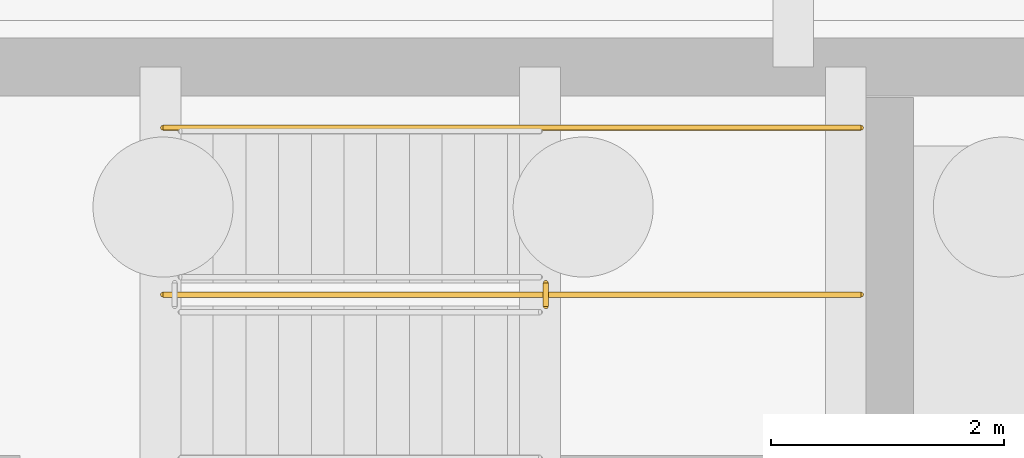
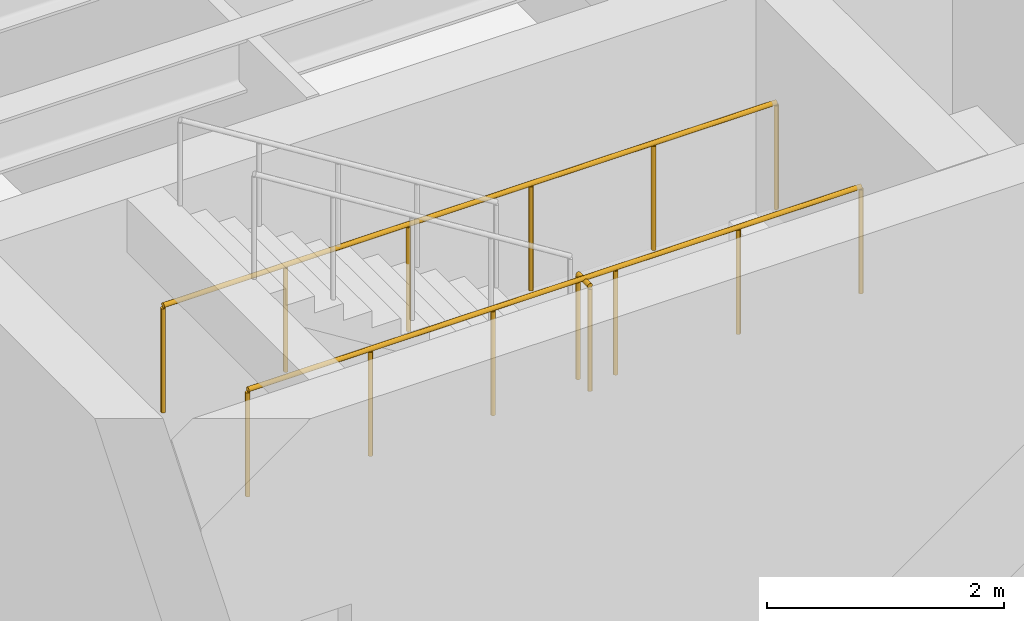
# One storey, part 21 of 22: 3 railings.
"""IFC4 building model written with IfcOpenShell, lengths in metres."""

from ifc_helpers import new_model, si_unit, direction, frame, origin, origin_2d, place, context, subcontext, project, spatial, circle, extrude, material, type_object, element, save


model = new_model("IFC4")

# Units and contexts
model_context = context("Model", 3, precision=1e-05, world=origin(), true_north=direction((0.0, 1.0)))
body_context = subcontext(model_context, "Body", "Model", "MODEL_VIEW")
ifc_project = project(units=[si_unit("LENGTHUNIT", "METRE"), si_unit("AREAUNIT", "SQUARE_METRE"), si_unit("VOLUMEUNIT", "CUBIC_METRE"), si_unit("PLANEANGLEUNIT", "RADIAN"), si_unit("MASSUNIT", "GRAM", prefix="KILO")], contexts=[model_context])

# Site, building, storey
site_placement = place(None, origin())
site = spatial("IfcSite", under=ifc_project, at=site_placement, CompositionType="ELEMENT")
building_placement = place(site_placement, origin())
building = spatial("IfcBuilding", under=site, at=building_placement, Name="Mithqara Police Headquarters", CompositionType="ELEMENT")
storey_placement = place(building_placement, frame((0.0, 0.0, -8.39990234375)))
storey = spatial("IfcBuildingStorey", under=building, at=storey_placement, Name="B2", CompositionType="ELEMENT", Elevation=-8.39990234375)

# Railings
ifc_material = material(Name="Steel S355JR", Category="steel")
railing_type = type_object("IfcRailingType", Name="STAIR GUARD 1120", PredefinedType="GUARDRAIL", material=ifc_material)
railing_placement = place(storey_placement, frame((135.280029296875, 98.14990234375, 2.099853515625)))
element("IfcRailing", 1, at=railing_placement, inside=storey, type_object=railing_type, Name="B2 ST-02 stair guard 2", PredefinedType="GUARDRAIL", context=body_context, shape_type="SweptSolid", body=[
    extrude(circle(Radius=0.02392578125, at=origin_2d()), frame((0.0, 0.0, 1.076171875), z_axis=(0.0, 1.0, 0.0), x_axis=(-1.0, 0.0, 0.0)), (0.0, 0.0, 1.0), 0.2001953125),
    extrude(circle(Radius=0.02099609375, at=origin_2d()), origin(), (0.0, 0.0, 1.0), 1.052001953125),
    extrude(circle(Radius=0.02099609375, at=origin_2d()), frame((0.0, 0.2001953125, 0.0)), (0.0, 0.0, 1.0), 1.052001953125),
])
for number, where, name in (
    (2, (132.0, 98.25, 2.099853515625), "B2 ST-02 Half-Landing Guard IN"),
    (3, (132.0, 99.679931640625, 2.099853515625), "B2 ST-02 Half-Landing Guard OUT"),
):
    element("IfcRailing", number, at=place(storey_placement, frame(where)), inside=storey, type_object=railing_type, Name=name, PredefinedType="GUARDRAIL", context=body_context, shape_type="SweptSolid", body=[
        extrude(circle(Radius=0.02392578125, at=origin_2d()), frame((0.0, 0.0, 1.09619140625), z_axis=(1.0, 0.0, 0.0), x_axis=(0.0, 1.0, 0.0)), (0.0, 0.0, 1.0), 5.97998046875),
        extrude(circle(Radius=0.02099609375, at=origin_2d()), origin(), (0.0, 0.0, 1.0), 1.072021484375),
        extrude(circle(Radius=0.02099609375, at=origin_2d()), frame((1.196044921875, 0.0, 0.0)), (0.0, 0.0, 1.0), 1.072021484375),
        extrude(circle(Radius=0.02099609375, at=origin_2d()), frame((2.39208984375, 0.0, 0.0)), (0.0, 0.0, 1.0), 1.072021484375),
        extrude(circle(Radius=0.02099609375, at=origin_2d()), frame((3.587890625, 0.0, 0.0)), (0.0, 0.0, 1.0), 1.072021484375),
        extrude(circle(Radius=0.02099609375, at=origin_2d()), frame((4.783935546875, 0.0, 0.0)), (0.0, 0.0, 1.0), 1.072021484375),
        extrude(circle(Radius=0.02099609375, at=origin_2d()), frame((5.97998046875, 0.0, 0.0)), (0.0, 0.0, 1.0), 1.072021484375),
    ])

save(model, "model.ifc")
